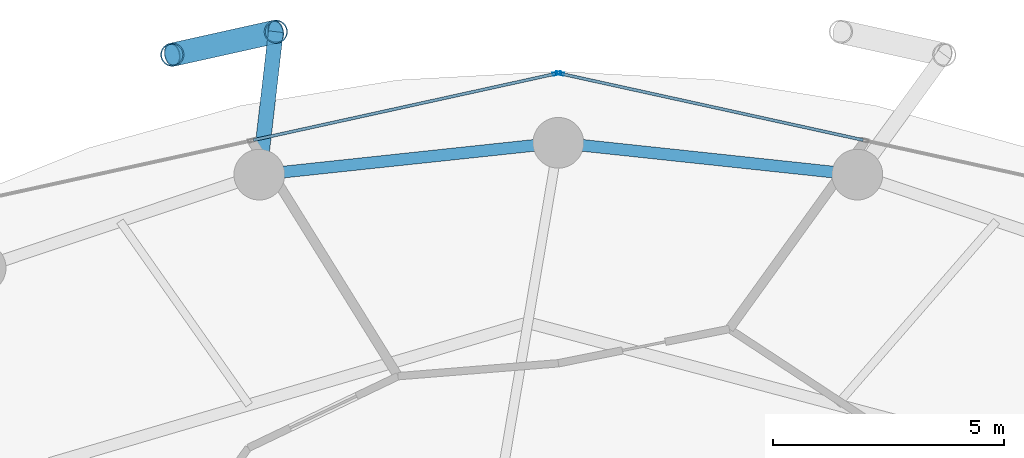
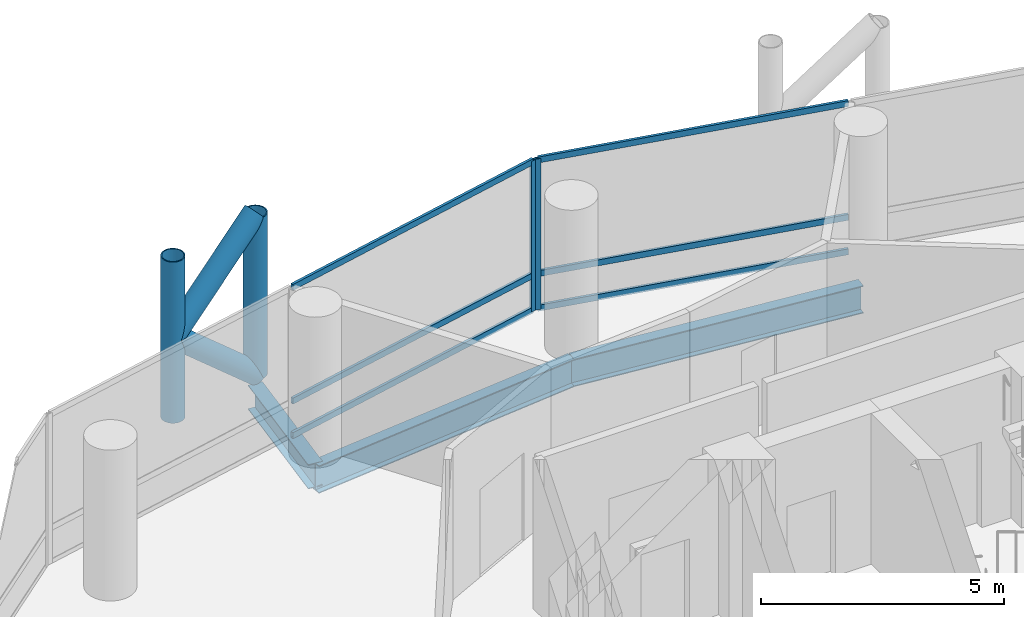
# One storey, part 16 of 24: 12 members, 3 beams, 2 elements without a shape of their own.
"""IFC4 building model written with IfcOpenShell, lengths in metres."""

from ifc_helpers import new_model, si_unit, direction, frame, origin, origin_2d, place, context, subcontext, project, spatial, hollow_rectangle, hollow_circle, i_section, extrude, material, layer, layer_set, material_profile, profile_set, type_object, element, aggregate, save


model = new_model("IFC4")

# Units and contexts
model_context = context("Model", 3, precision=1e-05, world=origin(), true_north=direction((0.0, 1.0)))
body_context = subcontext(model_context, "Body", "Model", "MODEL_VIEW")
ifc_project = project(units=[si_unit("LENGTHUNIT", "METRE"), si_unit("AREAUNIT", "SQUARE_METRE"), si_unit("VOLUMEUNIT", "CUBIC_METRE"), si_unit("PLANEANGLEUNIT", "RADIAN"), si_unit("MASSUNIT", "GRAM", prefix="KILO")], contexts=[model_context])

# Site, building, storey
site_placement = place(None, origin())
site = spatial("IfcSite", under=ifc_project, at=site_placement, CompositionType="ELEMENT")
building_placement = place(site_placement, origin())
building = spatial("IfcBuilding", under=site, at=building_placement, Name="Nuhasar Tower", CompositionType="ELEMENT")
storey_placement = place(building_placement, frame((0.0, 0.0, 25.050048828125)))
storey = spatial("IfcBuildingStorey", under=building, at=storey_placement, Name="L05", CompositionType="ELEMENT", Elevation=25.050048828125)

# Beams
ifc_material_1 = material(Name="Steel S355", Category="steel")
ifc_material_profile_1 = material_profile(ifc_material_1, i_section(OverallWidth=0.256103515625, OverallDepth=0.693115234375, WebThickness=0.014404296875, FlangeThickness=0.023681640625, at=origin_2d()), Name="W27X114")
ifc_profile_set_1 = profile_set([ifc_material_profile_1], Name="Steel S355")
beam_type_1 = type_object("IfcBeamType", Name="BM-RING-W27X114", PredefinedType="SPANDREL", material=ifc_profile_set_1)
for number, where, z_axis, x_axis, name in (
    (1, (45.48291015625, 46.360107421875, -0.60595703125), (-0.994384554061, 0.105827022286, 0.0), (-0.105827022286, -0.994384554061, 0.0), "L05 Perimeter Ring Spandrel 06"),
    (2, (39.0, 47.050048828125, -0.60595703125), (-0.994384554061, -0.105827022286, 0.0), (0.105827022286, -0.994384554061, 0.0), "L05 Perimeter Ring Spandrel 07"),
):
    element("IfcBeam", number, at=place(storey_placement, frame(where, z_axis=z_axis, x_axis=x_axis)), inside=storey, type_object=beam_type_1, Name=name, PredefinedType="SPANDREL", context=body_context, shape_type="SweptSolid", body=[
        extrude(i_section(OverallWidth=0.256103515625, OverallDepth=0.693115234375, WebThickness=0.014404296875, FlangeThickness=0.023681640625, at=origin_2d()), origin(), (0.0, 0.0, 1.0), 6.51953125),
    ])
ifc_material_profile_2 = material_profile(ifc_material_1, i_section(OverallWidth=0.323974609375, OverallDepth=0.611083984375, WebThickness=0.0126953125, FlangeThickness=0.01904296875, at=origin_2d()), Name="W24X104")
ifc_profile_set_2 = profile_set([ifc_material_profile_2], Name="Steel S355")
beam_type_2 = type_object("IfcBeamType", Name="BM-TIE-W24X104", PredefinedType="BEAM", material=ifc_profile_set_2)
beam_placement = place(storey_placement, frame((32.51708984375, 46.360107421875, -0.56494140625), z_axis=(0.115042934281, 0.993360520291, 0.0), x_axis=(-0.993360520291, 0.115042934281, 0.0)))
element("IfcBeam", 3, at=beam_placement, inside=storey, type_object=beam_type_2, Name="L05 Exoskeleton Node Tie Beam 04", PredefinedType="BEAM", context=body_context, shape_type="SweptSolid", body=[
    extrude(i_section(OverallWidth=0.323974609375, OverallDepth=0.611083984375, WebThickness=0.0126953125, FlangeThickness=0.01904296875, at=origin_2d()), origin(), (0.0, 0.0, 1.0), 3.11962890625),
])

# Curtain wall, member
ifc_material_2 = material(Name="Aluminium 6063-T6", Category="aluminium")
ifc_layer = layer(ifc_material_2, 0.199951171875)
ifc_layer_set = layer_set([ifc_layer], Name="Aluminium 6063-T6")
curtain_wall_type = type_object("IfcCurtainWallType", Name="CW-Z1-OFF", PredefinedType="NOTDEFINED", material=ifc_layer_set)
curtain_wall_1_placement = place(storey_placement, origin())
curtain_wall_1 = element("IfcCurtainWall", 4, at=curtain_wall_1_placement, inside=storey, type_object=curtain_wall_type, Name="L05 Unitised Curtain Wall 03", PredefinedType="NOTDEFINED")
ifc_material_profile_3 = material_profile(ifc_material_2, hollow_rectangle(XDim=0.06494140625, YDim=0.179931640625, WallThickness=0.0048828125, at=origin_2d()), Name="CWM-2")
ifc_profile_set_3 = profile_set([ifc_material_profile_3], Name="Aluminium 6063-T6")
member_type_1 = type_object("IfcMemberType", Name="CW-MUL-S2", PredefinedType="MULLION", material=ifc_profile_set_3)
member_1_placement = place(storey_placement, frame((39.03173828125, 48.552978515625, 0.0), z_axis=(0.0, 0.0, 1.0), x_axis=(-0.214398737637, -0.976746221544, 0.0)))
member_1 = element("IfcMember", 5, at=member_1_placement, type_object=member_type_1, Name="CW-Z1 mullion 3", PredefinedType="MULLION", context=body_context, shape_type="SweptSolid", body=[
    extrude(hollow_rectangle(XDim=0.06494140625, YDim=0.179931640625, WallThickness=0.0048828125, at=origin_2d()), origin(), (0.0, 0.0, 1.0), 3.7900390625),
])

curtain_wall_2_placement = place(storey_placement, origin())
curtain_wall_2 = element("IfcCurtainWall", 6, at=curtain_wall_2_placement, inside=storey, type_object=curtain_wall_type, Name="L05 Unitised Curtain Wall 04", PredefinedType="NOTDEFINED")
member_2_placement = place(storey_placement, frame((38.96826171875, 48.552978515625, 0.0), z_axis=(0.0, 0.0, 1.0), x_axis=(0.214398737637, -0.976746221544, 0.0)))
member_2 = element("IfcMember", 7, at=member_2_placement, type_object=member_type_1, Name="CW-Z1 mullion 1", PredefinedType="MULLION", context=body_context, shape_type="SweptSolid", body=[
    extrude(hollow_rectangle(XDim=0.06494140625, YDim=0.179931640625, WallThickness=0.0048828125, at=origin_2d()), origin(), (0.0, 0.0, 1.0), 3.7900390625),
])

# Member
ifc_material_profile_4 = material_profile(ifc_material_2, hollow_rectangle(XDim=0.06494140625, YDim=0.14990234375, WallThickness=0.00439453125, at=origin_2d()), Name="CWT-2")
ifc_profile_set_4 = profile_set([ifc_material_profile_4], Name="Aluminium 6063-T6")
member_type_2 = type_object("IfcMemberType", Name="CW-TRN-S2", PredefinedType="USERDEFINED", material=ifc_profile_set_4)
member_3_placement = place(storey_placement, frame((45.608154296875, 47.109375, 0.032470703125), z_axis=(-0.976740248595, 0.214425947065, 0.0), x_axis=(-0.214425947065, -0.976740248595, 0.0)))
member_3 = element("IfcMember", 8, at=member_3_placement, type_object=member_type_2, Name="CW-Z1 transom 2.1", ObjectType="TRANSOM", PredefinedType="USERDEFINED", context=body_context, shape_type="SweptSolid", body=[
    extrude(hollow_rectangle(XDim=0.06494140625, YDim=0.14990234375, WallThickness=0.00439453125, at=origin_2d()), origin(), (0.0, 0.0, 1.0), 6.700439453125),
])

member_4_placement = place(storey_placement, frame((45.608154296875, 47.109375, 0.89990234375), z_axis=(-0.976740248595, 0.214425947065, 0.0), x_axis=(-0.214425947065, -0.976740248595, 0.0)))
member_4 = element("IfcMember", 9, at=member_4_placement, type_object=member_type_2, Name="CW-Z1 transom 2.2", ObjectType="TRANSOM", PredefinedType="USERDEFINED", context=body_context, shape_type="SweptSolid", body=[
    extrude(hollow_rectangle(XDim=0.06494140625, YDim=0.14990234375, WallThickness=0.00439453125, at=origin_2d()), origin(), (0.0, 0.0, 1.0), 6.700439453125),
])

member_5_placement = place(storey_placement, frame((45.608154296875, 47.109375, 3.757568359375), z_axis=(-0.976740248595, 0.214425947065, 0.0), x_axis=(-0.214425947065, -0.976740248595, 0.0)))
member_5 = element("IfcMember", 10, at=member_5_placement, type_object=member_type_2, Name="CW-Z1 transom 2.3", ObjectType="TRANSOM", PredefinedType="USERDEFINED", context=body_context, shape_type="SweptSolid", body=[
    extrude(hollow_rectangle(XDim=0.06494140625, YDim=0.14990234375, WallThickness=0.00439453125, at=origin_2d()), origin(), (0.0, 0.0, 1.0), 6.700439453125),
])

aggregate(curtain_wall_1, [member_1, member_3, member_4, member_5])

member_6_placement = place(storey_placement, frame((38.9365234375, 48.546142578125, 0.032470703125), z_axis=(-0.976740248595, -0.214425947065, 0.0), x_axis=(0.214425947065, -0.976740248595, 0.0)))
member_6 = element("IfcMember", 11, at=member_6_placement, type_object=member_type_2, Name="CW-Z1 transom 1.1", ObjectType="TRANSOM", PredefinedType="USERDEFINED", context=body_context, shape_type="SweptSolid", body=[
    extrude(hollow_rectangle(XDim=0.06494140625, YDim=0.14990234375, WallThickness=0.00439453125, at=origin_2d()), origin(), (0.0, 0.0, 1.0), 6.700439453125),
])

member_7_placement = place(storey_placement, frame((38.9365234375, 48.546142578125, 0.89990234375), z_axis=(-0.976740248595, -0.214425947065, 0.0), x_axis=(0.214425947065, -0.976740248595, 0.0)))
member_7 = element("IfcMember", 12, at=member_7_placement, type_object=member_type_2, Name="CW-Z1 transom 1.2", ObjectType="TRANSOM", PredefinedType="USERDEFINED", context=body_context, shape_type="SweptSolid", body=[
    extrude(hollow_rectangle(XDim=0.06494140625, YDim=0.14990234375, WallThickness=0.00439453125, at=origin_2d()), origin(), (0.0, 0.0, 1.0), 6.700439453125),
])

member_8_placement = place(storey_placement, frame((38.9365234375, 48.546142578125, 3.757568359375), z_axis=(-0.976740248595, -0.214425947065, 0.0), x_axis=(0.214425947065, -0.976740248595, 0.0)))
member_8 = element("IfcMember", 13, at=member_8_placement, type_object=member_type_2, Name="CW-Z1 transom 1.3", ObjectType="TRANSOM", PredefinedType="USERDEFINED", context=body_context, shape_type="SweptSolid", body=[
    extrude(hollow_rectangle(XDim=0.06494140625, YDim=0.14990234375, WallThickness=0.00439453125, at=origin_2d()), origin(), (0.0, 0.0, 1.0), 6.700439453125),
])

aggregate(curtain_wall_2, [member_2, member_6, member_7, member_8])

# Members
ifc_material_3 = material(Name="Steel S460", Category="steel")
ifc_material_profile_5 = material_profile(ifc_material_3, hollow_circle(Radius=0.25390625, WallThickness=0.025390625, at=origin_2d()), Name="HSS508X25.4")
ifc_profile_set_5 = profile_set([ifc_material_profile_5], Name="Steel S460")
member_type_3 = type_object("IfcMemberType", Name="EXO-BRONZE-508", PredefinedType="BRACE", material=ifc_profile_set_5)
for number, where, z_axis, x_axis, name in (
    (14, (32.8759765625, 49.458984375, 0.0), (0.0, 0.0, 1.0), (1.0, 0.0, 0.0), "L05 Exoskeleton Chord Column EC-04A"),
    (15, (30.6298828125, 48.9599609375, 0.0), (0.0, 0.0, 1.0), (1.0, 0.0, 0.0), "L05 Exoskeleton Chord Column EC-04B"),
):
    element("IfcMember", number, at=place(storey_placement, frame(where, z_axis=z_axis, x_axis=x_axis)), inside=storey, type_object=member_type_3, Name=name, PredefinedType="BRACE", context=body_context, shape_type="SweptSolid", body=[
        extrude(hollow_circle(Radius=0.25390625, WallThickness=0.025390625, at=origin_2d()), origin(), (0.0, 0.0, 1.0), 4.050048828125),
    ])
member_9_placement = place(storey_placement, frame((32.8759765625, 49.458984375, 0.0), z_axis=(-0.732821471909, -0.162813813976, 0.660654487828), x_axis=(0.216885517571, -0.97619704582, 0.0)))
element("IfcMember", 16, at=member_9_placement, inside=storey, type_object=member_type_3, Name="L05 Bronze Diagrid Brace W1-04", PredefinedType="BRACE", context=body_context, shape_type="SweptSolid", body=[
    extrude(hollow_circle(Radius=0.25390625, WallThickness=0.025390625, at=origin_2d()), origin(), (0.0, 0.0, 1.0), 3.06494140625),
])
member_10_placement = place(storey_placement, frame((30.6298828125, 48.9599609375, 2.02490234375), z_axis=(0.732782908552, 0.162805246204, 0.660699372439), x_axis=(-0.216885517571, 0.97619704582, 0.0)))
element("IfcMember", 17, at=member_10_placement, inside=storey, type_object=member_type_3, Name="L05 Bronze Diagrid Brace W2-04", PredefinedType="BRACE", context=body_context, shape_type="SweptSolid", body=[
    extrude(hollow_circle(Radius=0.25390625, WallThickness=0.025390625, at=origin_2d()), origin(), (0.0, 0.0, 1.0), 3.065185546875),
])

save(model, "model.ifc")
